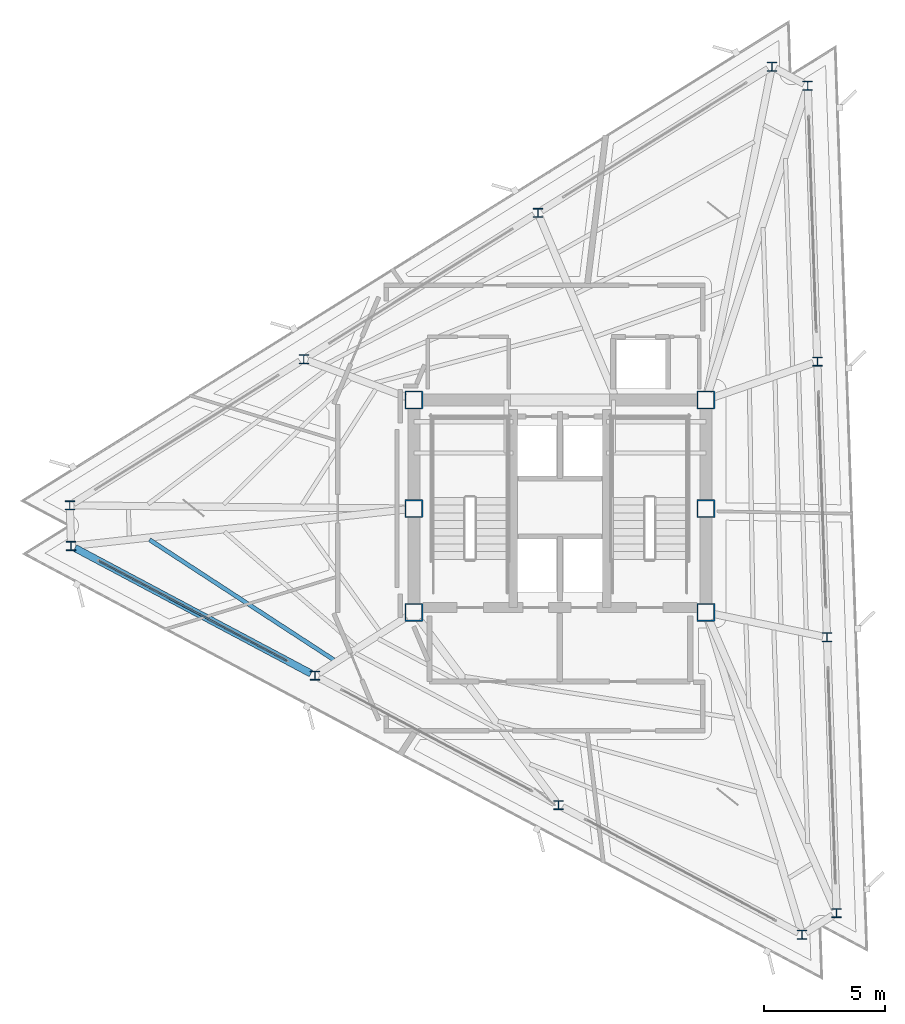
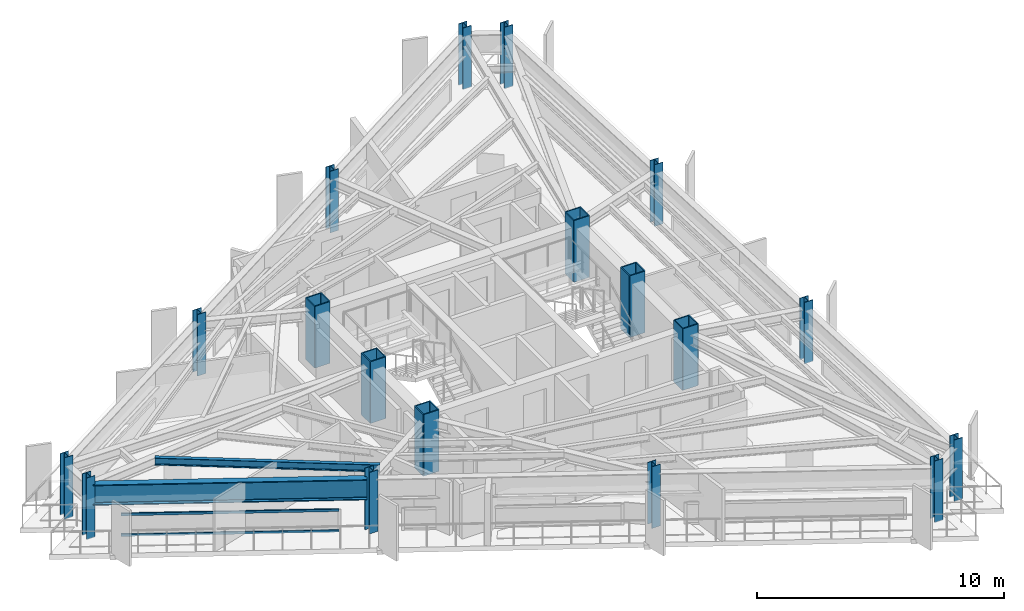
# One storey, part 1 of 13: 18 columns, 2 beams, 2 members, 1 element without a shape of its own.
"""IFC4 building model written with IfcOpenShell, lengths in metres."""

from ifc_helpers import new_model, si_unit, direction, frame, origin, origin_2d, place, context, subcontext, project, spatial, rectangle, hollow_rectangle, i_section, extrude, material, layer, layer_set, material_profile, profile_set, type_object, element, aggregate, save


model = new_model("IFC4")

# Units and contexts
model_context = context("Model", 3, precision=1e-05, world=origin(), true_north=direction((0.0, 1.0)))
body_context = subcontext(model_context, "Body", "Model", "MODEL_VIEW")
ifc_project = project(units=[si_unit("LENGTHUNIT", "METRE"), si_unit("AREAUNIT", "SQUARE_METRE"), si_unit("VOLUMEUNIT", "CUBIC_METRE"), si_unit("PLANEANGLEUNIT", "RADIAN"), si_unit("MASSUNIT", "GRAM", prefix="KILO")], contexts=[model_context])

# Site, building, storey
site_placement = place(None, origin())
site = spatial("IfcSite", under=ifc_project, at=site_placement, CompositionType="ELEMENT")
building_placement = place(site_placement, origin())
building = spatial("IfcBuilding", under=site, at=building_placement, Name="Rocaltana Carrier Exchange", CompositionType="ELEMENT")
storey_placement = place(building_placement, frame((0.0, 0.0, 211.840087890625)))
storey = spatial("IfcBuildingStorey", under=building, at=storey_placement, Name="L67", CompositionType="ELEMENT", Elevation=211.840087890625)

# Columns
ifc_material_1 = material(Name="Steel S460", Category="steel")
ifc_material_profile_1 = material_profile(ifc_material_1, hollow_rectangle(XDim=0.75, YDim=0.75, WallThickness=0.050048828125, InnerFilletRadius=0.02001953125, OuterFilletRadius=0.0400390625, at=origin_2d()), Name="BOX750X750X50")
ifc_profile_set_1 = profile_set([ifc_material_profile_1], Name="Steel S460")
column_type_1 = type_object("IfcColumnType", Name="Core Mega-Column BOX750", PredefinedType="COLUMN", material=ifc_profile_set_1)
for number, where, z_axis, x_axis, name in (
    (1, (-6.050048828125, 4.5, 0.0), (0.0, 0.0, 1.0), (1.0, 0.0, 0.0), "L67 Core Mega-Column MC1"),
    (2, (6.050048828125, 4.5, 0.0), (0.0, 0.0, 1.0), (1.0, 0.0, 0.0), "L67 Core Mega-Column MC2"),
    (3, (-6.050048828125, 0.0, 0.0), (0.0, 0.0, 1.0), (1.0, 0.0, 0.0), "L67 Core Mega-Column MC3"),
    (4, (6.050048828125, 0.0, 0.0), (0.0, 0.0, 1.0), (1.0, 0.0, 0.0), "L67 Core Mega-Column MC4"),
    (5, (-6.050048828125, -4.300048828125, 0.0), (0.0, 0.0, 1.0), (1.0, 0.0, 0.0), "L67 Core Mega-Column MC5"),
    (6, (6.050048828125, -4.300048828125, 0.0), (0.0, 0.0, 1.0), (1.0, 0.0, 0.0), "L67 Core Mega-Column MC6"),
):
    element("IfcColumn", number, at=place(storey_placement, frame(where, z_axis=z_axis, x_axis=x_axis)), inside=storey, type_object=column_type_1, Name=name, PredefinedType="COLUMN", context=body_context, shape_type="SweptSolid", body=[
        extrude(hollow_rectangle(XDim=0.75, YDim=0.75, WallThickness=0.050048828125, InnerFilletRadius=0.02001953125, OuterFilletRadius=0.0400390625, at=origin_2d()), origin(), (0.0, 0.0, 1.0), 3.039794921875),
    ])
ifc_material_2 = material(Name="Steel S355", Category="steel")
ifc_material_profile_2 = material_profile(ifc_material_2, i_section(OverallWidth=0.39404296875, OverallDepth=0.375, WebThickness=0.017333984375, FlangeThickness=0.027587890625, FilletRadius=0.01611328125, at=origin_2d()), Name="W14X145")
ifc_profile_set_2 = profile_set([ifc_material_profile_2], Name="Steel S355")
column_type_2 = type_object("IfcColumnType", Name="Perimeter Column W14X145", PredefinedType="COLUMN", material=ifc_profile_set_2)
for number, where, z_axis, x_axis, name in (
    (7, (11.46630859375, -16.760009765625, 0.0), (0.0, 0.0, 1.0), (1.0, 0.0, 0.0), "L67 Perimeter Column TC01"),
    (8, (11.067138671875, -5.333740234375, 0.0), (0.0, 0.0, 1.0), (1.0, 0.0, 0.0), "L67 Perimeter Column TC02"),
    (9, (10.668212890625, 6.0927734375, 0.0), (0.0, 0.0, 1.0), (1.0, 0.0, 0.0), "L67 Perimeter Column TC03"),
    (10, (10.269287109375, 17.51904296875, 0.0), (0.0, 0.0, 1.0), (1.0, 0.0, 0.0), "L67 Perimeter Column TC04"),
    (11, (8.781494140625, 18.31005859375, 0.0), (0.0, 0.0, 1.0), (1.0, 0.0, 0.0), "L67 Perimeter Column TC05"),
    (12, (-0.91455078125, 12.251220703125, 0.0), (0.0, 0.0, 1.0), (1.0, 0.0, 0.0), "L67 Perimeter Column TC06"),
    (13, (-10.610595703125, 6.192626953125, 0.0), (0.0, 0.0, 1.0), (1.0, 0.0, 0.0), "L67 Perimeter Column TC07"),
    (14, (-20.306640625, 0.1337890625, 0.0), (0.0, 0.0, 1.0), (1.0, 0.0, 0.0), "L67 Perimeter Column TC08"),
    (15, (-20.247802734375, -1.550048828125, 0.0), (0.0, 0.0, 1.0), (1.0, 0.0, 0.0), "L67 Perimeter Column TC09"),
    (16, (-10.152587890625, -6.917724609375, 0.0), (0.0, 0.0, 1.0), (1.0, 0.0, 0.0), "L67 Perimeter Column TC10"),
    (17, (-0.0576171875, -12.285400390625, 0.0), (0.0, 0.0, 1.0), (1.0, 0.0, 0.0), "L67 Perimeter Column TC11"),
    (18, (10.037353515625, -17.65283203125, 0.0), (0.0, 0.0, 1.0), (1.0, 0.0, 0.0), "L67 Perimeter Column TC12"),
):
    element("IfcColumn", number, at=place(storey_placement, frame(where, z_axis=z_axis, x_axis=x_axis)), inside=storey, type_object=column_type_2, Name=name, PredefinedType="COLUMN", context=body_context, shape_type="SweptSolid", body=[
        extrude(i_section(OverallWidth=0.39404296875, OverallDepth=0.375, WebThickness=0.017333984375, FlangeThickness=0.027587890625, FilletRadius=0.01611328125, at=origin_2d()), origin(), (0.0, 0.0, 1.0), 3.039794921875),
    ])

# Curtain wall, members
ifc_material_3 = material(Name="Aluminium 6063-T6", Category="aluminium")
ifc_layer = layer(ifc_material_3, 0.1201171875)
ifc_layer_set = layer_set([ifc_layer], Name="Aluminium 6063-T6")
curtain_wall_type = type_object("IfcCurtainWallType", Name="High-Altitude Thermal Curtain Wall CW-05", PredefinedType="NOTDEFINED", material=ifc_layer_set)
curtain_wall_placement = place(storey_placement, origin())
curtain_wall = element("IfcCurtainWall", 19, at=curtain_wall_placement, inside=storey, type_object=curtain_wall_type, Name="L67 CW-05 Run CW-L67-F3S1", PredefinedType="NOTDEFINED")
ifc_material_4 = material(Name="Aluminium 6063-T6", Category="aluminium")
ifc_material_profile_3 = material_profile(ifc_material_4, rectangle(XDim=0.06005859375, YDim=0.1201171875, at=origin_2d()), Name="AL-60X120")
ifc_profile_set_3 = profile_set([ifc_material_profile_3], Name="Aluminium 6063-T6")
member_type = type_object("IfcMemberType", Name="CW-05 Transom AL-60X120", PredefinedType="USERDEFINED", material=ifc_profile_set_3)
member_1_placement = place(storey_placement, frame((-19.091064453125, -2.1650390625, 0.030029296875), z_axis=(0.882944221824, -0.469477902726, 0.0), x_axis=(0.469477902726, 0.882944221824, 0.0)))
member_1 = element("IfcMember", 20, at=member_1_placement, type_object=member_type, Name="CW-05 transom 1.1", ObjectType="TRANSOM", PredefinedType="USERDEFINED", context=body_context, shape_type="SweptSolid", body=[
    extrude(rectangle(XDim=0.06005859375, YDim=0.1201171875, at=origin_2d()), origin(), (0.0, 0.0, 1.0), 8.8134765625),
])
member_2_placement = place(storey_placement, frame((-19.091064453125, -2.1650390625, 1.0478515625), z_axis=(0.882944221824, -0.469477902726, 0.0), x_axis=(0.469477902726, 0.882944221824, 0.0)))
member_2 = element("IfcMember", 21, at=member_2_placement, type_object=member_type, Name="CW-05 transom 1.2", ObjectType="TRANSOM", PredefinedType="USERDEFINED", context=body_context, shape_type="SweptSolid", body=[
    extrude(rectangle(XDim=0.06005859375, YDim=0.1201171875, at=origin_2d()), origin(), (0.0, 0.0, 1.0), 8.8134765625),
])
aggregate(curtain_wall, [member_1, member_2])

# Beams
ifc_material_5 = material(Name="Steel S355", Category="steel")
ifc_material_profile_4 = material_profile(ifc_material_5, i_section(OverallWidth=0.172119140625, OverallDepth=0.35791015625, WebThickness=0.0078125, FlangeThickness=0.01318359375, FilletRadius=0.011962890625, at=origin_2d()), Name="W14X38")
ifc_profile_set_4 = profile_set([ifc_material_profile_4], Name="Steel S355")
beam_type_1 = type_object("IfcBeamType", Name="Floor Joist W14X38", PredefinedType="JOIST", material=ifc_profile_set_4)
beam_1_placement = place(storey_placement, frame((-17.003662109375, -1.28759765625, 2.43896484375), z_axis=(0.837735841747, -0.546075690223, 0.0), x_axis=(0.546075690223, 0.837735841747, 0.0)))
element("IfcBeam", 22, at=beam_1_placement, inside=storey, type_object=beam_type_1, Name="FJ-L67-09-3", PredefinedType="JOIST", context=body_context, shape_type="SweptSolid", body=[
    extrude(i_section(OverallWidth=0.172119140625, OverallDepth=0.35791015625, WebThickness=0.0078125, FlangeThickness=0.01318359375, FilletRadius=0.011962890625, at=origin_2d()), origin(), (0.0, 0.0, 1.0), 9.111572265625),
])
ifc_material_6 = material(Name="Steel S460", Category="steel")
ifc_material_profile_5 = material_profile(ifc_material_6, i_section(OverallWidth=0.302001953125, OverallDepth=1.008056640625, WebThickness=0.02099609375, FlangeThickness=0.0400390625, FilletRadius=0.030029296875, at=origin_2d()), Name="HEM1000")
ifc_profile_set_5 = profile_set([ifc_material_profile_5], Name="Steel S460")
beam_type_2 = type_object("IfcBeamType", Name="Transfer Ring Girder HEM1000", PredefinedType="USERDEFINED", material=ifc_profile_set_5)
beam_2_placement = place(storey_placement, frame((-20.08935546875, -1.63427734375, 2.114013671875), z_axis=(0.882942972946, -0.469480251476, 0.0), x_axis=(0.469480251476, 0.882942972946, 0.0)))
element("IfcBeam", 23, at=beam_2_placement, inside=storey, type_object=beam_type_2, Name="SP-L67-09", ObjectType="TRANSFER GIRDER", PredefinedType="USERDEFINED", context=body_context, shape_type="SweptSolid", body=[
    extrude(i_section(OverallWidth=0.302001953125, OverallDepth=1.008056640625, WebThickness=0.02099609375, FlangeThickness=0.0400390625, FilletRadius=0.030029296875, at=origin_2d()), origin(), (0.0, 0.0, 1.0), 11.074462890625),
])

save(model, "model.ifc")
